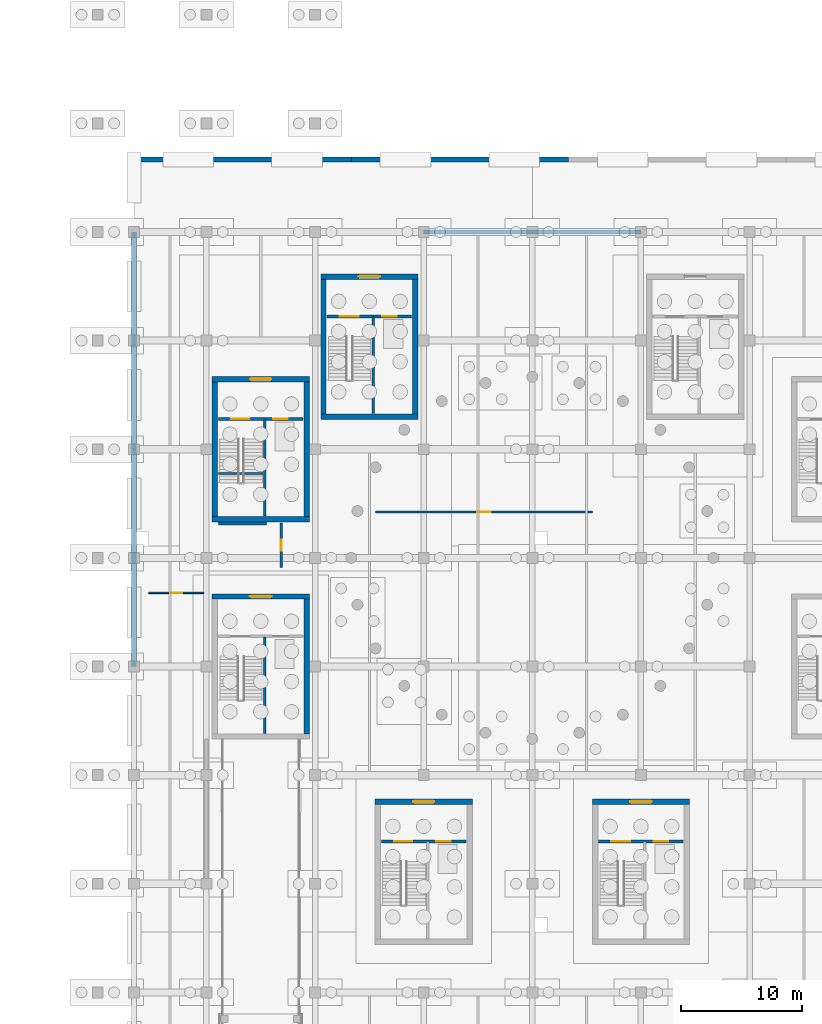
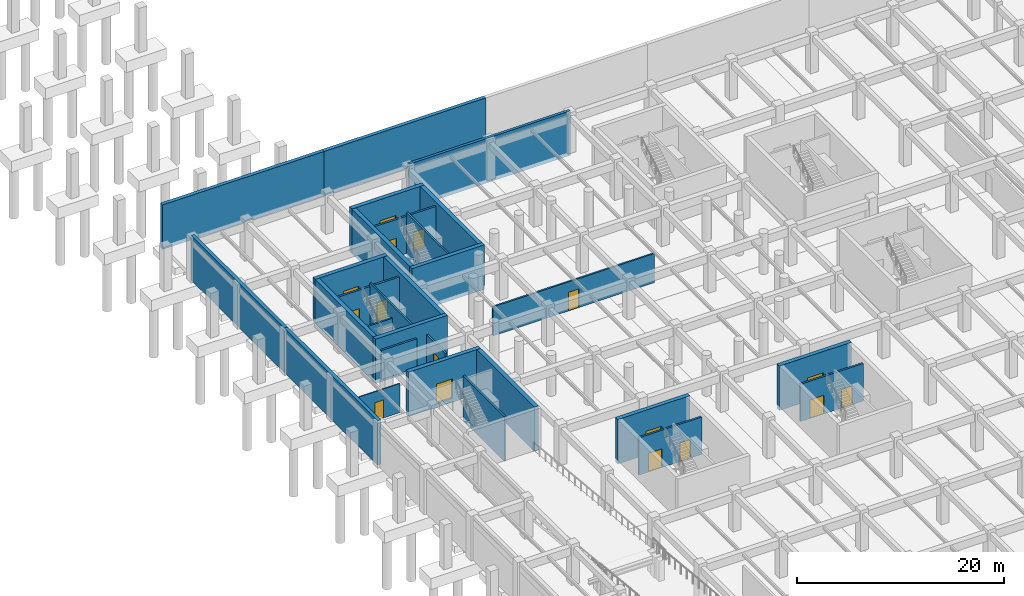
# One storey, part 18 of 27: 29 walls, 16 doors, 16 openings.
"""IFC4 building model written with IfcOpenShell, lengths in metres."""

from ifc_helpers import new_model, si_unit, direction, frame, frame_2d, origin, place, context, subcontext, project, spatial, rectangle, extrude, material, layer, layer_set, type_object, element, fill, save


model = new_model("IFC4")

# Units and contexts
model_context = context("Model", 3, precision=1e-05, world=origin(), true_north=direction((0.0, 1.0)))
body_context = subcontext(model_context, "Body", "Model", "MODEL_VIEW")
ifc_project = project(units=[si_unit("LENGTHUNIT", "METRE"), si_unit("AREAUNIT", "SQUARE_METRE"), si_unit("VOLUMEUNIT", "CUBIC_METRE"), si_unit("PLANEANGLEUNIT", "RADIAN"), si_unit("MASSUNIT", "GRAM", prefix="KILO")], contexts=[model_context])

# Site, building, storey
site_placement = place(None, origin())
site = spatial("IfcSite", under=ifc_project, at=site_placement, CompositionType="ELEMENT")
building_placement = place(site_placement, origin())
building = spatial("IfcBuilding", under=site, at=building_placement, Name="Dornveld Trade and Exhibition Forum", CompositionType="ELEMENT")
storey_placement = place(building_placement, frame((0.0, 0.0, -4.800048828125)))
storey = spatial("IfcBuildingStorey", under=building, at=storey_placement, Name="B1", CompositionType="ELEMENT", Elevation=-4.800048828125)

# Wall
ifc_material_1 = material(Name="Concrete C40/50", Category="concrete")
ifc_layer_1 = layer(ifc_material_1, 0.449951171875)
ifc_layer_set_1 = layer_set([ifc_layer_1], Name="Concrete C40/50")
wall_type_1 = type_object("IfcWallType", Name="WL-CORE-450", PredefinedType="SHEAR", material=ifc_layer_set_1)
wall_1_placement = place(storey_placement, frame((99.47509765625, 92.699951171875, -0.449951171875), z_axis=(0.0, 0.0, 1.0), x_axis=(1.0, 0.0, 0.0)))
element("IfcWall", 1, at=wall_1_placement, inside=storey, type_object=wall_type_1, Name="CORE-03 B1 shear wall S", PredefinedType="SHEAR", context=body_context, shape_type="SweptSolid", body=[
    extrude(rectangle(XDim=8.0498046875, YDim=0.449951171875, at=frame_2d((4.02490234375, 0.0))), origin(), (0.0, 0.0, 1.0), 5.25),
])

# Wall, opening, door
wall_2_placement = place(storey_placement, frame((99.47509765625, 104.300048828125, -0.449951171875), z_axis=(0.0, 0.0, 1.0), x_axis=(1.0, 0.0, 0.0)))
wall_2 = element("IfcWall", 2, at=wall_2_placement, inside=storey, type_object=wall_type_1, Name="CORE-03 B1 shear wall N", PredefinedType="SHEAR", context=body_context, shape_type="SweptSolid", body=[
    extrude(rectangle(XDim=8.0498046875, YDim=0.449951171875, at=frame_2d((4.02490234375, 0.0))), origin(), (0.0, 0.0, 1.0), 5.25),
])
opening_1_placement = place(wall_2_placement, frame((3.125, 0.0, 0.449951171875)))
opening_1 = element("IfcOpeningElement", 3, at=opening_1_placement, cuts=wall_2, Name="Opening CD-03-B1", PredefinedType="OPENING", context=body_context, shape_type="SweptSolid", body=[
    extrude(rectangle(XDim=1.800048828125, YDim=2.300048828125, at=frame_2d((0.89990234375, 1.14990234375))), frame((0.0, 0.23486328125, 0.0), z_axis=(0.0, -1.0, 0.0), x_axis=(1.0, 0.0, 0.0)), (0.0, 0.0, 1.0), 0.469970703125),
])
ifc_material_2 = material(Name="Steel fire-rated double door assembly", Category="steel")
door_type_1 = type_object("IfcDoorType", Name="DR-CORE-180x230", OperationType="NOTDEFINED", PredefinedType="DOOR", material=ifc_material_2)
door_1_placement = place(opening_1_placement, origin())
door_1 = element("IfcDoor", 4, at=door_1_placement, inside=storey, type_object=door_type_1, Name="CORE-03 B1 core lobby double fire door", OperationType="DOUBLE_DOOR_SINGLE_SWING", OverallHeight=2.300048828125, OverallWidth=1.800048828125, PredefinedType="DOOR", context=body_context, shape_type="SweptSolid", body=[
    extrude(rectangle(XDim=1.800048828125, YDim=2.300048828125, at=frame_2d((0.89990234375, 1.14990234375))), frame((0.0, 0.02490234375, 0.0), z_axis=(0.0, -1.0, 0.0), x_axis=(1.0, 0.0, 0.0)), (0.0, 0.0, 1.0), 0.050048828125),
])
fill(opening_1, door_1)

# Walls
for number, where, z_axis, x_axis, name in (
    (5, (99.699951171875, 92.925048828125, -0.449951171875), (0.0, 0.0, 1.0), (0.0, 1.0, 0.0), "CORE-03 B1 shear wall W"),
    (6, (107.300048828125, 92.925048828125, -0.449951171875), (0.0, 0.0, 1.0), (0.0, 1.0, 0.0), "CORE-03 B1 shear wall E"),
):
    element("IfcWall", number, at=place(storey_placement, frame(where, z_axis=z_axis, x_axis=x_axis)), inside=storey, type_object=wall_type_1, Name=name, PredefinedType="SHEAR", context=body_context, shape_type="SweptSolid", body=[
        extrude(rectangle(XDim=11.14990234375, YDim=0.449951171875, at=frame_2d((5.574951171875, 0.0))), origin(), (0.0, 0.0, 1.0), 5.25),
    ])
wall_3_placement = place(storey_placement, frame((90.47509765625, 84.199951171875, -0.449951171875), z_axis=(0.0, 0.0, 1.0), x_axis=(1.0, 0.0, 0.0)))
element("IfcWall", 7, at=wall_3_placement, inside=storey, type_object=wall_type_1, Name="CORE-04 B1 shear wall S", PredefinedType="SHEAR", context=body_context, shape_type="SweptSolid", body=[
    extrude(rectangle(XDim=8.0498046875, YDim=0.449951171875, at=frame_2d((4.02490234375, 0.0))), origin(), (0.0, 0.0, 1.0), 5.25),
])

# Wall, opening, door
wall_4_placement = place(storey_placement, frame((90.47509765625, 95.800048828125, -0.449951171875), z_axis=(0.0, 0.0, 1.0), x_axis=(1.0, 0.0, 0.0)))
wall_4 = element("IfcWall", 8, at=wall_4_placement, inside=storey, type_object=wall_type_1, Name="CORE-04 B1 shear wall N", PredefinedType="SHEAR", context=body_context, shape_type="SweptSolid", body=[
    extrude(rectangle(XDim=8.0498046875, YDim=0.449951171875, at=frame_2d((4.02490234375, 0.0))), origin(), (0.0, 0.0, 1.0), 5.25),
])
opening_2_placement = place(wall_4_placement, frame((3.14990234375, 0.0, 0.449951171875)))
opening_2 = element("IfcOpeningElement", 9, at=opening_2_placement, cuts=wall_4, Name="Opening CD-04-B1", PredefinedType="OPENING", context=body_context, shape_type="SweptSolid", body=[
    extrude(rectangle(XDim=1.75, YDim=2.300048828125, at=frame_2d((0.875, 1.14990234375))), frame((0.0, 0.23486328125, 0.0), z_axis=(0.0, -1.0, 0.0), x_axis=(1.0, 0.0, 0.0)), (0.0, 0.0, 1.0), 0.469970703125),
])
ifc_material_3 = material(Name="Steel fire-rated double door assembly", Category="steel")
door_type_2 = type_object("IfcDoorType", Name="DR-CORE-175x230", OperationType="NOTDEFINED", PredefinedType="DOOR", material=ifc_material_3)
door_2_placement = place(opening_2_placement, origin())
door_2 = element("IfcDoor", 10, at=door_2_placement, inside=storey, type_object=door_type_2, Name="CORE-04 B1 core lobby double fire door", OperationType="DOUBLE_DOOR_SINGLE_SWING", OverallHeight=2.300048828125, OverallWidth=1.75, PredefinedType="DOOR", context=body_context, shape_type="SweptSolid", body=[
    extrude(rectangle(XDim=1.75, YDim=2.300048828125, at=frame_2d((0.875, 1.14990234375))), frame((0.0, 0.02490234375, 0.0), z_axis=(0.0, -1.0, 0.0), x_axis=(1.0, 0.0, 0.0)), (0.0, 0.0, 1.0), 0.050048828125),
])
fill(opening_2, door_2)

# Walls
for number, where, z_axis, x_axis, name in (
    (11, (90.699951171875, 84.425048828125, -0.449951171875), (0.0, 0.0, 1.0), (0.0, 1.0, 0.0), "CORE-04 B1 shear wall W"),
    (12, (98.300048828125, 84.425048828125, -0.449951171875), (0.0, 0.0, 1.0), (0.0, 1.0, 0.0), "CORE-04 B1 shear wall E"),
):
    element("IfcWall", number, at=place(storey_placement, frame(where, z_axis=z_axis, x_axis=x_axis)), inside=storey, type_object=wall_type_1, Name=name, PredefinedType="SHEAR", context=body_context, shape_type="SweptSolid", body=[
        extrude(rectangle(XDim=11.14990234375, YDim=0.449951171875, at=frame_2d((5.574951171875, 0.0))), origin(), (0.0, 0.0, 1.0), 5.25),
    ])

# Wall, opening, door
wall_5_placement = place(storey_placement, frame((90.47509765625, 77.800048828125, -0.449951171875), z_axis=(0.0, 0.0, 1.0), x_axis=(1.0, 0.0, 0.0)))
wall_5 = element("IfcWall", 13, at=wall_5_placement, inside=storey, type_object=wall_type_1, Name="CORE-05 B1 shear wall N", PredefinedType="SHEAR", context=body_context, shape_type="SweptSolid", body=[
    extrude(rectangle(XDim=8.0498046875, YDim=0.449951171875, at=frame_2d((4.02490234375, 0.0))), origin(), (0.0, 0.0, 1.0), 5.25),
])
opening_3_placement = place(wall_5_placement, frame((3.125, 0.0, 0.449951171875)))
opening_3 = element("IfcOpeningElement", 14, at=opening_3_placement, cuts=wall_5, Name="Opening CD-05-B1", PredefinedType="OPENING", context=body_context, shape_type="SweptSolid", body=[
    extrude(rectangle(XDim=1.800048828125, YDim=2.300048828125, at=frame_2d((0.89990234375, 1.14990234375))), frame((0.0, 0.23486328125, 0.0), z_axis=(0.0, -1.0, 0.0), x_axis=(1.0, 0.0, 0.0)), (0.0, 0.0, 1.0), 0.469970703125),
])
door_3_placement = place(opening_3_placement, origin())
door_3 = element("IfcDoor", 15, at=door_3_placement, inside=storey, type_object=door_type_1, Name="CORE-05 B1 core lobby double fire door", OperationType="DOUBLE_DOOR_SINGLE_SWING", OverallHeight=2.300048828125, OverallWidth=1.800048828125, PredefinedType="DOOR", context=body_context, shape_type="SweptSolid", body=[
    extrude(rectangle(XDim=1.800048828125, YDim=2.300048828125, at=frame_2d((0.89990234375, 1.14990234375))), frame((0.0, 0.02490234375, 0.0), z_axis=(0.0, -1.0, 0.0), x_axis=(1.0, 0.0, 0.0)), (0.0, 0.0, 1.0), 0.050048828125),
])
fill(opening_3, door_3)

# Wall
wall_6_placement = place(storey_placement, frame((98.300048828125, 66.425048828125, -0.449951171875), z_axis=(0.0, 0.0, 1.0), x_axis=(0.0, 1.0, 0.0)))
element("IfcWall", 16, at=wall_6_placement, inside=storey, type_object=wall_type_1, Name="CORE-05 B1 shear wall E", PredefinedType="SHEAR", context=body_context, shape_type="SweptSolid", body=[
    extrude(rectangle(XDim=11.14990234375, YDim=0.449951171875, at=frame_2d((5.574951171875, 0.0))), origin(), (0.0, 0.0, 1.0), 5.25),
])

# Wall, opening, door
wall_7_placement = place(storey_placement, frame((103.97509765625, 60.800048828125, -0.449951171875), z_axis=(0.0, 0.0, 1.0), x_axis=(1.0, 0.0, 0.0)))
wall_7 = element("IfcWall", 17, at=wall_7_placement, inside=storey, type_object=wall_type_1, Name="CORE-06 B1 shear wall N", PredefinedType="SHEAR", context=body_context, shape_type="SweptSolid", body=[
    extrude(rectangle(XDim=8.0498046875, YDim=0.449951171875, at=frame_2d((4.02490234375, 0.0))), origin(), (0.0, 0.0, 1.0), 5.25),
])
opening_4_placement = place(wall_7_placement, frame((3.14990234375, 0.0, 0.449951171875)))
opening_4 = element("IfcOpeningElement", 18, at=opening_4_placement, cuts=wall_7, Name="Opening CD-06-B1", PredefinedType="OPENING", context=body_context, shape_type="SweptSolid", body=[
    extrude(rectangle(XDim=1.75, YDim=2.300048828125, at=frame_2d((0.875, 1.14990234375))), frame((0.0, 0.23486328125, 0.0), z_axis=(0.0, -1.0, 0.0), x_axis=(1.0, 0.0, 0.0)), (0.0, 0.0, 1.0), 0.469970703125),
])
door_4_placement = place(opening_4_placement, origin())
door_4 = element("IfcDoor", 19, at=door_4_placement, inside=storey, type_object=door_type_2, Name="CORE-06 B1 core lobby double fire door", OperationType="DOUBLE_DOOR_SINGLE_SWING", OverallHeight=2.300048828125, OverallWidth=1.75, PredefinedType="DOOR", context=body_context, shape_type="SweptSolid", body=[
    extrude(rectangle(XDim=1.75, YDim=2.300048828125, at=frame_2d((0.875, 1.14990234375))), frame((0.0, 0.02490234375, 0.0), z_axis=(0.0, -1.0, 0.0), x_axis=(1.0, 0.0, 0.0)), (0.0, 0.0, 1.0), 0.050048828125),
])
fill(opening_4, door_4)

wall_8_placement = place(storey_placement, frame((121.97509765625, 60.800048828125, -0.449951171875), z_axis=(0.0, 0.0, 1.0), x_axis=(1.0, 0.0, 0.0)))
wall_8 = element("IfcWall", 20, at=wall_8_placement, inside=storey, type_object=wall_type_1, Name="CORE-07 B1 shear wall N", PredefinedType="SHEAR", context=body_context, shape_type="SweptSolid", body=[
    extrude(rectangle(XDim=8.0498046875, YDim=0.449951171875, at=frame_2d((4.02490234375, 0.0))), origin(), (0.0, 0.0, 1.0), 5.25),
])
opening_5_placement = place(wall_8_placement, frame((3.125, 0.0, 0.449951171875)))
opening_5 = element("IfcOpeningElement", 21, at=opening_5_placement, cuts=wall_8, Name="Opening CD-07-B1", PredefinedType="OPENING", context=body_context, shape_type="SweptSolid", body=[
    extrude(rectangle(XDim=1.800048828125, YDim=2.300048828125, at=frame_2d((0.89990234375, 1.14990234375))), frame((0.0, 0.23486328125, 0.0), z_axis=(0.0, -1.0, 0.0), x_axis=(1.0, 0.0, 0.0)), (0.0, 0.0, 1.0), 0.469970703125),
])
door_5_placement = place(opening_5_placement, origin())
door_5 = element("IfcDoor", 22, at=door_5_placement, inside=storey, type_object=door_type_1, Name="CORE-07 B1 core lobby double fire door", OperationType="DOUBLE_DOOR_SINGLE_SWING", OverallHeight=2.300048828125, OverallWidth=1.800048828125, PredefinedType="DOOR", context=body_context, shape_type="SweptSolid", body=[
    extrude(rectangle(XDim=1.800048828125, YDim=2.300048828125, at=frame_2d((0.89990234375, 1.14990234375))), frame((0.0, 0.02490234375, 0.0), z_axis=(0.0, -1.0, 0.0), x_axis=(1.0, 0.0, 0.0)), (0.0, 0.0, 1.0), 0.050048828125),
])
fill(opening_5, door_5)

# Walls
ifc_material_4 = material(Name="Concrete C40/50", Category="concrete")
ifc_layer_2 = layer(ifc_material_4, 0.300048828125)
ifc_layer_set_2 = layer_set([ifc_layer_2], Name="Concrete C40/50")
wall_type_2 = type_object("IfcWallType", Name="WL-DIV-300", PredefinedType="SHEAR", material=ifc_layer_set_2)
wall_9_placement = place(storey_placement, frame((108.0, 108.0, -0.449951171875), z_axis=(0.0, 0.0, 1.0), x_axis=(1.0, 0.0, 0.0)))
element("IfcWall", 23, at=wall_9_placement, inside=storey, type_object=wall_type_2, Name="B1 fire division shear wall 2", PredefinedType="SHEAR", context=body_context, shape_type="SweptSolid", body=[
    extrude(rectangle(XDim=18.0, YDim=0.300048828125, at=frame_2d((9.0, 0.0))), origin(), (0.0, 0.0, 1.0), 5.25),
])
ifc_material_5 = material(Name="Acoustic twin-stud gypsum and mineral wool", Category="gypsum")
ifc_layer_3 = layer(ifc_material_5, 0.215087890625)
ifc_layer_set_3 = layer_set([ifc_layer_3], Name="Acoustic twin-stud gypsum and mineral wool")
wall_type_3 = type_object("IfcWallType", Name="WL-INT-AC215", PredefinedType="PARTITIONING", material=ifc_layer_set_3)
wall_10_placement = place(storey_placement, frame((91.02001953125, 83.85009765625, 0.0), z_axis=(0.0, 0.0, 1.0), x_axis=(1.0, 0.0, 0.0)))
element("IfcWall", 24, at=wall_10_placement, inside=storey, type_object=wall_type_3, Name="B1 interior partition 1", PredefinedType="PARTITIONING", context=body_context, shape_type="SweptSolid", body=[
    extrude(rectangle(XDim=3.9599609375, YDim=0.215087890625, at=frame_2d((1.97998046875, 0.0))), origin(), (0.0, 0.0, 1.0), 3.420166015625),
])

# Wall, opening, door
wall_11_placement = place(storey_placement, frame((96.199951171875, 80.219970703125, 0.0), z_axis=(0.0, 0.0, 1.0), x_axis=(0.0, 1.0, 0.0)))
wall_11 = element("IfcWall", 25, at=wall_11_placement, inside=storey, type_object=wall_type_3, Name="B1 interior partition 85", PredefinedType="PARTITIONING", context=body_context, shape_type="SweptSolid", body=[
    extrude(rectangle(XDim=3.659912109375, YDim=0.215087890625, at=frame_2d((1.830078125, 0.0))), origin(), (0.0, 0.0, 1.0), 3.420166015625),
])
opening_6_placement = place(wall_11_placement, frame((1.3701171875, 0.0, 0.0)))
opening_6 = element("IfcOpeningElement", 26, at=opening_6_placement, cuts=wall_11, Name="Opening WD-03-055", PredefinedType="OPENING", context=body_context, shape_type="SweptSolid", body=[
    extrude(rectangle(XDim=0.919921875, YDim=2.1201171875, at=frame_2d((0.4599609375, 1.06005859375))), frame((0.0, 0.117431640625, 0.0), z_axis=(0.0, -1.0, 0.0), x_axis=(1.0, 0.0, 0.0)), (0.0, 0.0, 1.0), 0.235107421875),
])
ifc_material_6 = material(Name="Laminate sanitary lobby door", Category="wood")
door_type_3 = type_object("IfcDoorType", Name="DR-WC-092x212", OperationType="NOTDEFINED", PredefinedType="DOOR", material=ifc_material_6)
door_6_placement = place(opening_6_placement, origin())
door_6 = element("IfcDoor", 27, at=door_6_placement, inside=storey, type_object=door_type_3, Name="B1 interior room door 55", OperationType="SINGLE_SWING_LEFT", OverallHeight=2.1201171875, OverallWidth=0.919921875, PredefinedType="DOOR", context=body_context, shape_type="SweptSolid", body=[
    extrude(rectangle(XDim=0.919921875, YDim=2.1201171875, at=frame_2d((0.4599609375, 1.06005859375))), frame((0.0, 0.02490234375, 0.0), z_axis=(0.0, -1.0, 0.0), x_axis=(1.0, 0.0, 0.0)), (0.0, 0.0, 1.0), 0.050048828125),
])
fill(opening_6, door_6)

# Wall
ifc_material_7 = material(Name="Fire-rated steel-stud gypsum board", Category="steel")
ifc_layer_4 = layer(ifc_material_7, 0.18505859375)
ifc_layer_set_4 = layer_set([ifc_layer_4], Name="Fire-rated steel-stud gypsum board")
wall_type_4 = type_object("IfcWallType", Name="WL-INT-FR185", PredefinedType="PARTITIONING", material=ifc_layer_set_4)
wall_12_placement = place(storey_placement, frame((91.02001953125, 88.0, 0.0), z_axis=(0.0, 0.0, 1.0), x_axis=(1.0, 0.0, 0.0)))
element("IfcWall", 28, at=wall_12_placement, inside=storey, type_object=wall_type_4, Name="B1 interior partition 2", PredefinedType="PARTITIONING", context=body_context, shape_type="SweptSolid", body=[
    extrude(rectangle(XDim=3.659912109375, YDim=0.18505859375, at=frame_2d((1.830078125, 0.0))), origin(), (0.0, 0.0, 1.0), 3.420166015625),
])

# Wall, opening, door
wall_13_placement = place(storey_placement, frame((104.02001953125, 84.800048828125, 0.0), z_axis=(0.0, 0.0, 1.0), x_axis=(1.0, 0.0, 0.0)))
wall_13 = element("IfcWall", 29, at=wall_13_placement, inside=storey, type_object=wall_type_4, Name="B1 interior partition 17", PredefinedType="PARTITIONING", context=body_context, shape_type="SweptSolid", body=[
    extrude(rectangle(XDim=17.9599609375, YDim=0.18505859375, at=frame_2d((8.97998046875, 0.0))), origin(), (0.0, 0.0, 1.0), 3.420166015625),
])
opening_7_placement = place(wall_13_placement, frame((8.405029296875, 0.0, 0.0)))
opening_7 = element("IfcOpeningElement", 30, at=opening_7_placement, cuts=wall_13, Name="Opening OD-01-007", PredefinedType="OPENING", context=body_context, shape_type="SweptSolid", body=[
    extrude(rectangle(XDim=1.14990234375, YDim=2.199951171875, at=frame_2d((0.574951171875, 1.10009765625))), frame((0.0, 0.1025390625, 0.0), z_axis=(0.0, -1.0, 0.0), x_axis=(1.0, 0.0, 0.0)), (0.0, 0.0, 1.0), 0.205078125),
])
ifc_material_8 = material(Name="Solid-core hardwood office door", Category="wood")
door_type_4 = type_object("IfcDoorType", Name="DR-OFF-115x220", OperationType="NOTDEFINED", PredefinedType="DOOR", material=ifc_material_8)
door_7_placement = place(opening_7_placement, origin())
door_7 = element("IfcDoor", 31, at=door_7_placement, inside=storey, type_object=door_type_4, Name="B1 interior room door 7", OperationType="SINGLE_SWING_LEFT", OverallHeight=2.199951171875, OverallWidth=1.14990234375, PredefinedType="DOOR", context=body_context, shape_type="SweptSolid", body=[
    extrude(rectangle(XDim=1.14990234375, YDim=2.199951171875, at=frame_2d((0.574951171875, 1.10009765625))), frame((0.0, 0.02490234375, 0.0), z_axis=(0.0, -1.0, 0.0), x_axis=(1.0, 0.0, 0.0)), (0.0, 0.0, 1.0), 0.050048828125),
])
fill(opening_7, door_7)

ifc_material_9 = material(Name="Framed acoustic glass office partition", Category="glass")
ifc_layer_5 = layer(ifc_material_9, 0.10498046875)
ifc_layer_set_5 = layer_set([ifc_layer_5], Name="Framed acoustic glass office partition")
wall_type_5 = type_object("IfcWallType", Name="WL-INT-GL105", PredefinedType="PARTITIONING", material=ifc_layer_set_5)
wall_14_placement = place(storey_placement, frame((85.219970703125, 78.10009765625, 0.0), z_axis=(0.0, 0.0, 1.0), x_axis=(1.0, 0.0, 0.0)))
wall_14 = element("IfcWall", 32, at=wall_14_placement, inside=storey, type_object=wall_type_5, Name="B1 interior partition 84", PredefinedType="PARTITIONING", context=body_context, shape_type="SweptSolid", body=[
    extrude(rectangle(XDim=4.56005859375, YDim=0.10498046875, at=frame_2d((2.280029296875, 0.0))), origin(), (0.0, 0.0, 1.0), 3.420166015625),
])
opening_8_placement = place(wall_14_placement, frame((1.800048828125, 0.0, 0.0)))
opening_8 = element("IfcOpeningElement", 33, at=opening_8_placement, cuts=wall_14, Name="Opening WD-02-054", PredefinedType="OPENING", context=body_context, shape_type="SweptSolid", body=[
    extrude(rectangle(XDim=0.9599609375, YDim=2.1201171875, at=frame_2d((0.47998046875, 1.06005859375))), frame((0.0, 0.0625, 0.0), z_axis=(0.0, -1.0, 0.0), x_axis=(1.0, 0.0, 0.0)), (0.0, 0.0, 1.0), 0.125),
])
ifc_material_10 = material(Name="Laminate sanitary lobby door", Category="wood")
door_type_5 = type_object("IfcDoorType", Name="DR-WC-096x212", OperationType="NOTDEFINED", PredefinedType="DOOR", material=ifc_material_10)
door_8_placement = place(opening_8_placement, origin())
door_8 = element("IfcDoor", 34, at=door_8_placement, inside=storey, type_object=door_type_5, Name="B1 interior room door 54", OperationType="SINGLE_SWING_RIGHT", OverallHeight=2.1201171875, OverallWidth=0.9599609375, PredefinedType="DOOR", context=body_context, shape_type="SweptSolid", body=[
    extrude(rectangle(XDim=0.9599609375, YDim=2.1201171875, at=frame_2d((0.47998046875, 1.06005859375))), frame((0.0, 0.02490234375, 0.0), z_axis=(0.0, -1.0, 0.0), x_axis=(1.0, 0.0, 0.0)), (0.0, 0.0, 1.0), 0.050048828125),
])
fill(opening_8, door_8)

# Wall, openings, doors
ifc_material_11 = material(Name="Concrete C40/50", Category="concrete")
ifc_layer_6 = layer(ifc_material_11, 0.219970703125)
ifc_layer_set_6 = layer_set([ifc_layer_6], Name="Concrete C40/50")
wall_type_6 = type_object("IfcWallType", Name="WL-INT-LOB220", PredefinedType="SOLIDWALL", material=ifc_layer_set_6)
wall_15_placement = place(storey_placement, frame((100.0, 101.0, 0.0), z_axis=(0.0, 0.0, 1.0), x_axis=(1.0, 0.0, 0.0)))
wall_15 = element("IfcWall", 35, at=wall_15_placement, inside=storey, type_object=wall_type_6, Name="CORE-03 B1 protected lobby bulkhead wall", PredefinedType="SOLIDWALL", context=body_context, shape_type="SweptSolid", body=[
    extrude(rectangle(XDim=7.0, YDim=0.219970703125, at=frame_2d((3.5, 0.0))), origin(), (0.0, 0.0, 1.0), 4.400146484375),
])
opening_9_placement = place(wall_15_placement, frame((1.050048828125, 0.0, 0.0)))
opening_9 = element("IfcOpeningElement", 36, at=opening_9_placement, cuts=wall_15, Name="Opening SD-03-B1", PredefinedType="OPENING", context=body_context, shape_type="SweptSolid", body=[
    extrude(rectangle(XDim=1.550048828125, YDim=2.199951171875, at=frame_2d((0.77490234375, 1.10009765625))), frame((0.0, 0.119873046875, 0.0), z_axis=(0.0, -1.0, 0.0), x_axis=(1.0, 0.0, 0.0)), (0.0, 0.0, 1.0), 0.239990234375),
])
opening_10_placement = place(wall_15_placement, frame((4.550048828125, 0.0, 0.0)))
opening_10 = element("IfcOpeningElement", 37, at=opening_10_placement, cuts=wall_15, Name="Opening LD-03-B1", PredefinedType="OPENING", context=body_context, shape_type="SweptSolid", body=[
    extrude(rectangle(XDim=1.199951171875, YDim=2.199951171875, at=frame_2d((0.60009765625, 1.10009765625))), frame((0.0, 0.119873046875, 0.0), z_axis=(0.0, -1.0, 0.0), x_axis=(1.0, 0.0, 0.0)), (0.0, 0.0, 1.0), 0.239990234375),
])
ifc_material_12 = material(Name="Brushed stainless steel sliding lift landing door", Category="steel")
door_type_6 = type_object("IfcDoorType", Name="DR-LIFT-120x220", OperationType="NOTDEFINED", PredefinedType="DOOR", material=ifc_material_12)
door_9_placement = place(opening_10_placement, origin())
door_9 = element("IfcDoor", 38, at=door_9_placement, inside=storey, type_object=door_type_6, Name="CORE-03 B1 lift sliding landing door", OperationType="SLIDING_TO_LEFT", OverallHeight=2.199951171875, OverallWidth=1.199951171875, PredefinedType="DOOR", context=body_context, shape_type="SweptSolid", body=[
    extrude(rectangle(XDim=1.199951171875, YDim=2.199951171875, at=frame_2d((0.60009765625, 1.10009765625))), frame((0.0, 0.02490234375, 0.0), z_axis=(0.0, -1.0, 0.0), x_axis=(1.0, 0.0, 0.0)), (0.0, 0.0, 1.0), 0.050048828125),
])
fill(opening_10, door_9)
ifc_material_13 = material(Name="Steel fire-rated stair door assembly", Category="steel")
door_type_7 = type_object("IfcDoorType", Name="DR-STAIR-155x220", OperationType="NOTDEFINED", PredefinedType="DOOR", material=ifc_material_13)
door_10_placement = place(opening_9_placement, origin())
door_10 = element("IfcDoor", 39, at=door_10_placement, inside=storey, type_object=door_type_7, Name="CORE-03 B1 protected stair door", OperationType="SINGLE_SWING_LEFT", OverallHeight=2.199951171875, OverallWidth=1.550048828125, PredefinedType="DOOR", context=body_context, shape_type="SweptSolid", body=[
    extrude(rectangle(XDim=1.550048828125, YDim=2.199951171875, at=frame_2d((0.77490234375, 1.10009765625))), frame((0.0, 0.02490234375, 0.0), z_axis=(0.0, -1.0, 0.0), x_axis=(1.0, 0.0, 0.0)), (0.0, 0.0, 1.0), 0.050048828125),
])
fill(opening_9, door_10)

wall_16_placement = place(storey_placement, frame((91.0, 92.5, 0.0), z_axis=(0.0, 0.0, 1.0), x_axis=(1.0, 0.0, 0.0)))
wall_16 = element("IfcWall", 40, at=wall_16_placement, inside=storey, type_object=wall_type_6, Name="CORE-04 B1 protected lobby bulkhead wall", PredefinedType="SOLIDWALL", context=body_context, shape_type="SweptSolid", body=[
    extrude(rectangle(XDim=7.0, YDim=0.219970703125, at=frame_2d((3.5, 0.0))), origin(), (0.0, 0.0, 1.0), 4.400146484375),
])
opening_11_placement = place(wall_16_placement, frame((1.050048828125, 0.0, 0.0)))
opening_11 = element("IfcOpeningElement", 41, at=opening_11_placement, cuts=wall_16, Name="Opening SD-04-B1", PredefinedType="OPENING", context=body_context, shape_type="SweptSolid", body=[
    extrude(rectangle(XDim=1.5, YDim=2.199951171875, at=frame_2d((0.75, 1.10009765625))), frame((0.0, 0.119873046875, 0.0), z_axis=(0.0, -1.0, 0.0), x_axis=(1.0, 0.0, 0.0)), (0.0, 0.0, 1.0), 0.239990234375),
])
opening_12_placement = place(wall_16_placement, frame((4.550048828125, 0.0, 0.0)))
opening_12 = element("IfcOpeningElement", 42, at=opening_12_placement, cuts=wall_16, Name="Opening LD-04-B1", PredefinedType="OPENING", context=body_context, shape_type="SweptSolid", body=[
    extrude(rectangle(XDim=1.199951171875, YDim=2.199951171875, at=frame_2d((0.60009765625, 1.10009765625))), frame((0.0, 0.119873046875, 0.0), z_axis=(0.0, -1.0, 0.0), x_axis=(1.0, 0.0, 0.0)), (0.0, 0.0, 1.0), 0.239990234375),
])
door_11_placement = place(opening_12_placement, origin())
door_11 = element("IfcDoor", 43, at=door_11_placement, inside=storey, type_object=door_type_6, Name="CORE-04 B1 lift sliding landing door", OperationType="SLIDING_TO_RIGHT", OverallHeight=2.199951171875, OverallWidth=1.199951171875, PredefinedType="DOOR", context=body_context, shape_type="SweptSolid", body=[
    extrude(rectangle(XDim=1.199951171875, YDim=2.199951171875, at=frame_2d((0.60009765625, 1.10009765625))), frame((0.0, 0.02490234375, 0.0), z_axis=(0.0, -1.0, 0.0), x_axis=(1.0, 0.0, 0.0)), (0.0, 0.0, 1.0), 0.050048828125),
])
fill(opening_12, door_11)
ifc_material_14 = material(Name="Steel fire-rated stair door assembly", Category="steel")
door_type_8 = type_object("IfcDoorType", Name="DR-STAIR-150x220", OperationType="NOTDEFINED", PredefinedType="DOOR", material=ifc_material_14)
door_12_placement = place(opening_11_placement, origin())
door_12 = element("IfcDoor", 44, at=door_12_placement, inside=storey, type_object=door_type_8, Name="CORE-04 B1 protected stair door", OperationType="SINGLE_SWING_RIGHT", OverallHeight=2.199951171875, OverallWidth=1.5, PredefinedType="DOOR", context=body_context, shape_type="SweptSolid", body=[
    extrude(rectangle(XDim=1.5, YDim=2.199951171875, at=frame_2d((0.75, 1.10009765625))), frame((0.0, 0.02490234375, 0.0), z_axis=(0.0, -1.0, 0.0), x_axis=(1.0, 0.0, 0.0)), (0.0, 0.0, 1.0), 0.050048828125),
])
fill(opening_11, door_12)

wall_17_placement = place(storey_placement, frame((104.5, 57.5, 0.0), z_axis=(0.0, 0.0, 1.0), x_axis=(1.0, 0.0, 0.0)))
wall_17 = element("IfcWall", 45, at=wall_17_placement, inside=storey, type_object=wall_type_6, Name="CORE-06 B1 protected lobby bulkhead wall", PredefinedType="SOLIDWALL", context=body_context, shape_type="SweptSolid", body=[
    extrude(rectangle(XDim=7.0, YDim=0.219970703125, at=frame_2d((3.5, 0.0))), origin(), (0.0, 0.0, 1.0), 4.400146484375),
])
opening_13_placement = place(wall_17_placement, frame((1.050048828125, 0.0, 0.0)))
opening_13 = element("IfcOpeningElement", 46, at=opening_13_placement, cuts=wall_17, Name="Opening SD-06-B1", PredefinedType="OPENING", context=body_context, shape_type="SweptSolid", body=[
    extrude(rectangle(XDim=1.5, YDim=2.199951171875, at=frame_2d((0.75, 1.10009765625))), frame((0.0, 0.119873046875, 0.0), z_axis=(0.0, -1.0, 0.0), x_axis=(1.0, 0.0, 0.0)), (0.0, 0.0, 1.0), 0.239990234375),
])
opening_14_placement = place(wall_17_placement, frame((4.550048828125, 0.0, 0.0)))
opening_14 = element("IfcOpeningElement", 47, at=opening_14_placement, cuts=wall_17, Name="Opening LD-06-B1", PredefinedType="OPENING", context=body_context, shape_type="SweptSolid", body=[
    extrude(rectangle(XDim=1.199951171875, YDim=2.199951171875, at=frame_2d((0.60009765625, 1.10009765625))), frame((0.0, 0.119873046875, 0.0), z_axis=(0.0, -1.0, 0.0), x_axis=(1.0, 0.0, 0.0)), (0.0, 0.0, 1.0), 0.239990234375),
])
door_13_placement = place(opening_14_placement, origin())
door_13 = element("IfcDoor", 48, at=door_13_placement, inside=storey, type_object=door_type_6, Name="CORE-06 B1 lift sliding landing door", OperationType="SLIDING_TO_RIGHT", OverallHeight=2.199951171875, OverallWidth=1.199951171875, PredefinedType="DOOR", context=body_context, shape_type="SweptSolid", body=[
    extrude(rectangle(XDim=1.199951171875, YDim=2.199951171875, at=frame_2d((0.60009765625, 1.10009765625))), frame((0.0, 0.02490234375, 0.0), z_axis=(0.0, -1.0, 0.0), x_axis=(1.0, 0.0, 0.0)), (0.0, 0.0, 1.0), 0.050048828125),
])
fill(opening_14, door_13)
door_14_placement = place(opening_13_placement, origin())
door_14 = element("IfcDoor", 49, at=door_14_placement, inside=storey, type_object=door_type_8, Name="CORE-06 B1 protected stair door", OperationType="SINGLE_SWING_RIGHT", OverallHeight=2.199951171875, OverallWidth=1.5, PredefinedType="DOOR", context=body_context, shape_type="SweptSolid", body=[
    extrude(rectangle(XDim=1.5, YDim=2.199951171875, at=frame_2d((0.75, 1.10009765625))), frame((0.0, 0.02490234375, 0.0), z_axis=(0.0, -1.0, 0.0), x_axis=(1.0, 0.0, 0.0)), (0.0, 0.0, 1.0), 0.050048828125),
])
fill(opening_13, door_14)

wall_18_placement = place(storey_placement, frame((122.5, 57.5, 0.0), z_axis=(0.0, 0.0, 1.0), x_axis=(1.0, 0.0, 0.0)))
wall_18 = element("IfcWall", 50, at=wall_18_placement, inside=storey, type_object=wall_type_6, Name="CORE-07 B1 protected lobby bulkhead wall", PredefinedType="SOLIDWALL", context=body_context, shape_type="SweptSolid", body=[
    extrude(rectangle(XDim=7.0, YDim=0.219970703125, at=frame_2d((3.5, 0.0))), origin(), (0.0, 0.0, 1.0), 4.400146484375),
])
opening_15_placement = place(wall_18_placement, frame((1.050048828125, 0.0, 0.0)))
opening_15 = element("IfcOpeningElement", 51, at=opening_15_placement, cuts=wall_18, Name="Opening SD-07-B1", PredefinedType="OPENING", context=body_context, shape_type="SweptSolid", body=[
    extrude(rectangle(XDim=1.550048828125, YDim=2.199951171875, at=frame_2d((0.77490234375, 1.10009765625))), frame((0.0, 0.119873046875, 0.0), z_axis=(0.0, -1.0, 0.0), x_axis=(1.0, 0.0, 0.0)), (0.0, 0.0, 1.0), 0.239990234375),
])
opening_16_placement = place(wall_18_placement, frame((4.550048828125, 0.0, 0.0)))
opening_16 = element("IfcOpeningElement", 52, at=opening_16_placement, cuts=wall_18, Name="Opening LD-07-B1", PredefinedType="OPENING", context=body_context, shape_type="SweptSolid", body=[
    extrude(rectangle(XDim=1.199951171875, YDim=2.199951171875, at=frame_2d((0.60009765625, 1.10009765625))), frame((0.0, 0.119873046875, 0.0), z_axis=(0.0, -1.0, 0.0), x_axis=(1.0, 0.0, 0.0)), (0.0, 0.0, 1.0), 0.239990234375),
])
door_15_placement = place(opening_16_placement, origin())
door_15 = element("IfcDoor", 53, at=door_15_placement, inside=storey, type_object=door_type_6, Name="CORE-07 B1 lift sliding landing door", OperationType="SLIDING_TO_LEFT", OverallHeight=2.199951171875, OverallWidth=1.199951171875, PredefinedType="DOOR", context=body_context, shape_type="SweptSolid", body=[
    extrude(rectangle(XDim=1.199951171875, YDim=2.199951171875, at=frame_2d((0.60009765625, 1.10009765625))), frame((0.0, 0.02490234375, 0.0), z_axis=(0.0, -1.0, 0.0), x_axis=(1.0, 0.0, 0.0)), (0.0, 0.0, 1.0), 0.050048828125),
])
fill(opening_16, door_15)
door_16_placement = place(opening_15_placement, origin())
door_16 = element("IfcDoor", 54, at=door_16_placement, inside=storey, type_object=door_type_7, Name="CORE-07 B1 protected stair door", OperationType="SINGLE_SWING_LEFT", OverallHeight=2.199951171875, OverallWidth=1.550048828125, PredefinedType="DOOR", context=body_context, shape_type="SweptSolid", body=[
    extrude(rectangle(XDim=1.550048828125, YDim=2.199951171875, at=frame_2d((0.77490234375, 1.10009765625))), frame((0.0, 0.02490234375, 0.0), z_axis=(0.0, -1.0, 0.0), x_axis=(1.0, 0.0, 0.0)), (0.0, 0.0, 1.0), 0.050048828125),
])
fill(opening_15, door_16)

# Walls
ifc_material_15 = material(Name="Concrete C40/50", Category="concrete")
ifc_layer_7 = layer(ifc_material_15, 0.199951171875)
ifc_layer_set_7 = layer_set([ifc_layer_7], Name="Concrete C40/50")
wall_type_7 = type_object("IfcWallType", Name="WL-INT-SHAFT200", PredefinedType="SOLIDWALL", material=ifc_layer_set_7)
for number, where, z_axis, x_axis, name in (
    (55, (103.820068359375, 92.949951171875, -0.449951171875), (0.0, 0.0, 1.0), (0.0, 1.0, 0.0), "CORE-03 B1 lift-stair structural shaft wall"),
    (56, (94.820068359375, 84.449951171875, -0.449951171875), (0.0, 0.0, 1.0), (0.0, 1.0, 0.0), "CORE-04 B1 lift-stair structural shaft wall"),
    (57, (94.820068359375, 66.449951171875, -0.449951171875), (0.0, 0.0, 1.0), (0.0, 1.0, 0.0), "CORE-05 B1 lift-stair structural shaft wall"),
):
    element("IfcWall", number, at=place(storey_placement, frame(where, z_axis=z_axis, x_axis=x_axis)), inside=storey, type_object=wall_type_7, Name=name, PredefinedType="SOLIDWALL", context=body_context, shape_type="SweptSolid", body=[
        extrude(rectangle(XDim=8.0, YDim=0.199951171875, at=frame_2d((4.0, 0.0))), origin(), (0.0, 0.0, 1.0), 5.25),
    ])
ifc_material_16 = material(Name="Concrete C40/50", Category="concrete")
ifc_layer_8 = layer(ifc_material_16, 0.39990234375)
ifc_layer_set_8 = layer_set([ifc_layer_8], Name="Concrete C40/50")
wall_type_8 = type_object("IfcWallType", Name="WL-RET-400", PredefinedType="USERDEFINED", material=ifc_layer_set_8)
for number, where, z_axis, x_axis, name in (
    (58, (84.0, 114.0, -0.449951171875), (0.0, 0.0, 1.0), (1.0, 0.0, 0.0), "B1 retaining wall N bay 1"),
    (59, (102.0, 114.0, -0.449951171875), (0.0, 0.0, 1.0), (1.0, 0.0, 0.0), "B1 retaining wall N bay 2"),
    (60, (84.0, 72.0, -0.449951171875), (0.0, 0.0, 1.0), (0.0, 1.0, 0.0), "B1 retaining wall W bay 4"),
    (61, (84.0, 90.0, -0.449951171875), (0.0, 0.0, 1.0), (0.0, 1.0, 0.0), "B1 retaining wall W bay 5"),
):
    element("IfcWall", number, at=place(storey_placement, frame(where, z_axis=z_axis, x_axis=x_axis)), inside=storey, type_object=wall_type_8, Name=name, ObjectType="RETAINING_WALL", PredefinedType="USERDEFINED", context=body_context, shape_type="SweptSolid", body=[
        extrude(rectangle(XDim=18.0, YDim=0.39990234375, at=frame_2d((9.0, 0.0))), origin(), (0.0, 0.0, 1.0), 5.25),
    ])

save(model, "model.ifc")
